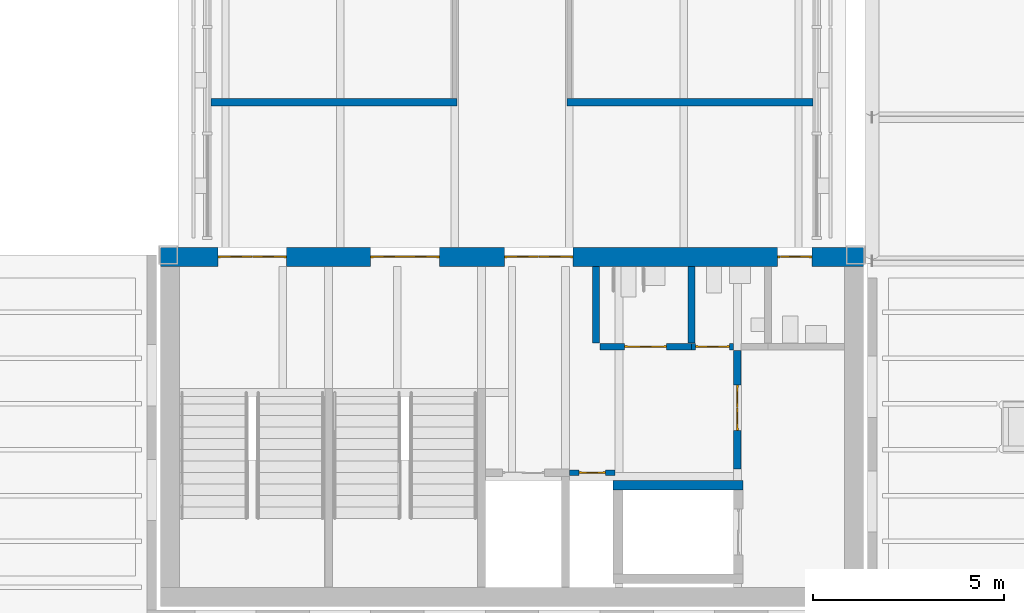
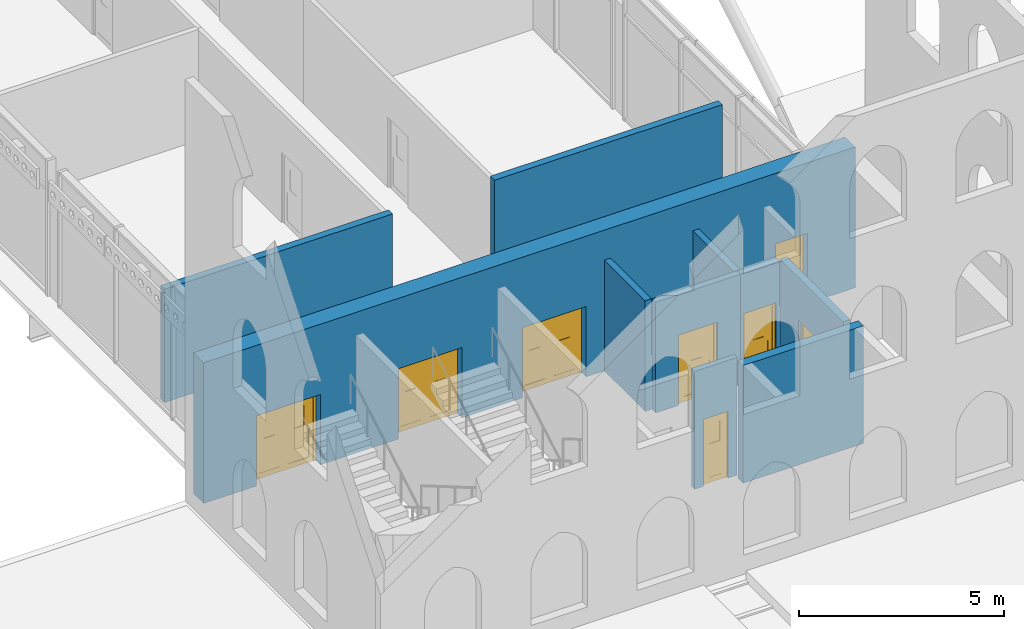
# One storey, part 104 of 153: 10 walls, 8 doors, 8 openings.
"""IFC4 building model written with IfcOpenShell, lengths in metres."""

from ifc_helpers import new_model, si_unit, direction, frame, frame_2d, origin, place, context, subcontext, project, spatial, polyline, rectangle, outline, extrude, material, layer, layer_set, type_object, element, fill, save


model = new_model("IFC4")

# Units and contexts
model_context = context("Model", 3, precision=1e-05, world=origin(), true_north=direction((0.0, 1.0)))
body_context = subcontext(model_context, "Body", "Model", "MODEL_VIEW")
ifc_project = project(units=[si_unit("LENGTHUNIT", "METRE"), si_unit("AREAUNIT", "SQUARE_METRE"), si_unit("VOLUMEUNIT", "CUBIC_METRE"), si_unit("PLANEANGLEUNIT", "RADIAN"), si_unit("MASSUNIT", "GRAM", prefix="KILO")], contexts=[model_context])

# Site, building, storey
site_placement = place(None, origin())
site = spatial("IfcSite", under=ifc_project, at=site_placement, CompositionType="ELEMENT")
building_placement = place(site_placement, origin())
building = spatial("IfcBuilding", under=site, at=building_placement, Name="Baradari Gate Terminus", CompositionType="ELEMENT")
storey_placement = place(building_placement, frame((0.0, 0.0, 11.699951171875)))
storey = spatial("IfcBuildingStorey", under=building, at=storey_placement, Name="L02", CompositionType="ELEMENT", Elevation=11.699951171875)

# Wall, openings, doors
ifc_material_1 = material(Name="Concrete C40/50", Category="concrete")
ifc_layer_1 = layer(ifc_material_1, 0.5)
ifc_layer_set_1 = layer_set([ifc_layer_1], Name="Concrete C40/50")
wall_type_1 = type_object("IfcWallType", Name="Abutment core wall CWL05 500", PredefinedType="SOLIDWALL", material=ifc_layer_set_1)
wall_1_placement = place(storey_placement, frame((71.800048828125, 35.949951171875, 0.0), z_axis=(0.0, 0.0, 1.0), x_axis=(1.0, 0.0, 0.0)))
wall_1 = element("IfcWall", 1, at=wall_1_placement, inside=storey, type_object=wall_type_1, Name="Abutment core wall GS N L02", PredefinedType="SOLIDWALL", context=body_context, shape_type="SweptSolid", body=[
    extrude(rectangle(XDim=18.39990234375, YDim=0.5, at=frame_2d((9.199951171875, 0.0))), origin(), (0.0, 0.0, 1.0), 4.199951171875),
])
opening_1_placement = place(wall_1_placement, frame((1.5, 0.0, 0.0)))
opening_1 = element("IfcOpeningElement", 2, at=opening_1_placement, cuts=wall_1, Name="Opening D02-035", PredefinedType="OPENING", context=body_context, shape_type="SweptSolid", body=[
    extrude(rectangle(XDim=1.800048828125, YDim=2.10009765625, at=frame_2d((0.89990234375, 1.050048828125))), frame((0.0, 0.260009765625, 0.0), z_axis=(0.0, -1.0, 0.0), x_axis=(1.0, 0.0, 0.0)), (0.0, 0.0, 1.0), 0.52001953125),
])
opening_2_placement = place(wall_1_placement, frame((5.5, 0.0, 0.0)))
opening_2 = element("IfcOpeningElement", 3, at=opening_2_placement, cuts=wall_1, Name="Opening D02-036", PredefinedType="OPENING", context=body_context, shape_type="SweptSolid", body=[
    extrude(rectangle(XDim=1.800048828125, YDim=2.10009765625, at=frame_2d((0.89990234375, 1.050048828125))), frame((0.0, 0.260009765625, 0.0), z_axis=(0.0, -1.0, 0.0), x_axis=(1.0, 0.0, 0.0)), (0.0, 0.0, 1.0), 0.52001953125),
])
opening_3_placement = place(wall_1_placement, frame((9.0, 0.0, 0.0)))
opening_3 = element("IfcOpeningElement", 4, at=opening_3_placement, cuts=wall_1, Name="Opening D02-037", PredefinedType="OPENING", context=body_context, shape_type="SweptSolid", body=[
    extrude(rectangle(XDim=1.800048828125, YDim=2.10009765625, at=frame_2d((0.89990234375, 1.050048828125))), frame((0.0, 0.260009765625, 0.0), z_axis=(0.0, -1.0, 0.0), x_axis=(1.0, 0.0, 0.0)), (0.0, 0.0, 1.0), 0.52001953125),
])
opening_4_placement = place(wall_1_placement, frame((16.14990234375, 0.0, 0.0)))
opening_4 = element("IfcOpeningElement", 5, at=opening_4_placement, cuts=wall_1, Name="Opening D02-042", PredefinedType="OPENING", context=body_context, shape_type="SweptSolid", body=[
    extrude(rectangle(XDim=0.89990234375, YDim=2.10009765625, at=frame_2d((0.449951171875, 1.050048828125))), frame((0.0, 0.260009765625, 0.0), z_axis=(0.0, -1.0, 0.0), x_axis=(1.0, 0.0, 0.0)), (0.0, 0.0, 1.0), 0.52001953125),
])
ifc_material_2 = material(Name="Steel S275", Category="steel")
door_type_1 = type_object("IfcDoorType", Name="Fire door FI-1800-FD90S 1800x2100 FD90S", OperationType="DOUBLE_DOOR_SINGLE_SWING", PredefinedType="DOOR", material=ifc_material_2)
door_1_placement = place(opening_1_placement, frame((1.800048828125, 0.0, 0.0), z_axis=(0.0, 0.0, 1.0), x_axis=(-1.0, 0.0, 0.0)))
door_1 = element("IfcDoor", 6, at=door_1_placement, inside=storey, type_object=door_type_1, Name="Door Stair (Gate South) 1", OperationType="DOUBLE_DOOR_SINGLE_SWING", OverallHeight=2.1, OverallWidth=1.8, PredefinedType="DOOR", context=body_context, shape_type="SweptSolid", body=[
    extrude(outline(polyline([(0.0, 0.0), (0.070068359375, 0.0), (0.070068359375, 2.030029296875), (1.72998046875, 2.030029296875), (1.72998046875, 0.0), (1.800048828125, 0.0), (1.800048828125, 2.10009765625), (0.0, 2.10009765625), (0.0, 0.0)])), frame((0.0, 0.02490234375, 0.0), z_axis=(0.0, -1.0, 0.0), x_axis=(1.0, 0.0, 0.0)), (0.0, 0.0, 1.0), 0.050048828125),
    extrude(outline(polyline([(0.073974609375, 0.010009765625), (0.89697265625, 0.010009765625), (0.89697265625, 2.026123046875), (0.073974609375, 2.026123046875), (0.073974609375, 0.010009765625)]), holes=[polyline([(0.194091796875, 0.159912109375), (0.77685546875, 0.159912109375), (0.77685546875, 1.010009765625), (0.194091796875, 1.010009765625), (0.194091796875, 0.159912109375)]), polyline([(0.33544921875, 1.159912109375), (0.635498046875, 1.159912109375), (0.635498046875, 1.760009765625), (0.33544921875, 1.760009765625), (0.33544921875, 1.159912109375)])]), frame((0.0, 0.017333984375, 0.0), z_axis=(0.0, -1.0, 0.0), x_axis=(1.0, 0.0, 0.0)), (0.0, 0.0, 1.0), 0.034912109375),
    extrude(rectangle(XDim=0.582763671875, YDim=0.85009765625, at=frame_2d((0.4853515625, 0.5849609375))), frame((0.0, 0.008544921875, 0.0), z_axis=(0.0, -1.0, 0.0), x_axis=(1.0, 0.0, 0.0)), (0.0, 0.0, 1.0), 0.017333984375),
    extrude(rectangle(XDim=0.300048828125, YDim=0.60009765625, at=frame_2d((0.4853515625, 1.4599609375))), frame((0.0, 0.005859375, 0.0), z_axis=(0.0, -1.0, 0.0), x_axis=(1.0, 0.0, 0.0)), (0.0, 0.0, 1.0), 0.011962890625),
    extrude(outline(polyline([(0.903076171875, 0.010009765625), (1.72607421875, 0.010009765625), (1.72607421875, 2.026123046875), (0.903076171875, 2.026123046875), (0.903076171875, 0.010009765625)]), holes=[polyline([(1.023193359375, 0.159912109375), (1.60595703125, 0.159912109375), (1.60595703125, 1.010009765625), (1.023193359375, 1.010009765625), (1.023193359375, 0.159912109375)]), polyline([(1.16455078125, 1.159912109375), (1.464599609375, 1.159912109375), (1.464599609375, 1.760009765625), (1.16455078125, 1.760009765625), (1.16455078125, 1.159912109375)])]), frame((0.0, 0.017333984375, 0.0), z_axis=(0.0, -1.0, 0.0), x_axis=(1.0, 0.0, 0.0)), (0.0, 0.0, 1.0), 0.034912109375),
    extrude(rectangle(XDim=0.582763671875, YDim=0.85009765625, at=frame_2d((1.314453125, 0.5849609375))), frame((0.0, 0.008544921875, 0.0), z_axis=(0.0, -1.0, 0.0), x_axis=(1.0, 0.0, 0.0)), (0.0, 0.0, 1.0), 0.017333984375),
    extrude(rectangle(XDim=0.300048828125, YDim=0.60009765625, at=frame_2d((1.314453125, 1.4599609375))), frame((0.0, 0.005859375, 0.0), z_axis=(0.0, -1.0, 0.0), x_axis=(1.0, 0.0, 0.0)), (0.0, 0.0, 1.0), 0.011962890625),
])
fill(opening_1, door_1)
door_2_placement = place(opening_2_placement, frame((1.800048828125, 0.0, 0.0), z_axis=(0.0, 0.0, 1.0), x_axis=(-1.0, 0.0, 0.0)))
door_2 = element("IfcDoor", 7, at=door_2_placement, inside=storey, type_object=door_type_1, Name="Door Stair (Gate South) 2", OperationType="DOUBLE_DOOR_SINGLE_SWING", OverallHeight=2.1, OverallWidth=1.8, PredefinedType="DOOR", context=body_context, shape_type="SweptSolid", body=[
    extrude(outline(polyline([(0.0, 0.0), (0.070068359375, 0.0), (0.070068359375, 2.030029296875), (1.72998046875, 2.030029296875), (1.72998046875, 0.0), (1.800048828125, 0.0), (1.800048828125, 2.10009765625), (0.0, 2.10009765625), (0.0, 0.0)])), frame((0.0, 0.02490234375, 0.0), z_axis=(0.0, -1.0, 0.0), x_axis=(1.0, 0.0, 0.0)), (0.0, 0.0, 1.0), 0.050048828125),
    extrude(outline(polyline([(0.073974609375, 0.010009765625), (0.89697265625, 0.010009765625), (0.89697265625, 2.026123046875), (0.073974609375, 2.026123046875), (0.073974609375, 0.010009765625)]), holes=[polyline([(0.194091796875, 0.159912109375), (0.77685546875, 0.159912109375), (0.77685546875, 1.010009765625), (0.194091796875, 1.010009765625), (0.194091796875, 0.159912109375)]), polyline([(0.33544921875, 1.159912109375), (0.635498046875, 1.159912109375), (0.635498046875, 1.760009765625), (0.33544921875, 1.760009765625), (0.33544921875, 1.159912109375)])]), frame((0.0, 0.017333984375, 0.0), z_axis=(0.0, -1.0, 0.0), x_axis=(1.0, 0.0, 0.0)), (0.0, 0.0, 1.0), 0.034912109375),
    extrude(rectangle(XDim=0.582763671875, YDim=0.85009765625, at=frame_2d((0.4853515625, 0.5849609375))), frame((0.0, 0.008544921875, 0.0), z_axis=(0.0, -1.0, 0.0), x_axis=(1.0, 0.0, 0.0)), (0.0, 0.0, 1.0), 0.017333984375),
    extrude(rectangle(XDim=0.300048828125, YDim=0.60009765625, at=frame_2d((0.4853515625, 1.4599609375))), frame((0.0, 0.005859375, 0.0), z_axis=(0.0, -1.0, 0.0), x_axis=(1.0, 0.0, 0.0)), (0.0, 0.0, 1.0), 0.011962890625),
    extrude(outline(polyline([(0.903076171875, 0.010009765625), (1.72607421875, 0.010009765625), (1.72607421875, 2.026123046875), (0.903076171875, 2.026123046875), (0.903076171875, 0.010009765625)]), holes=[polyline([(1.023193359375, 0.159912109375), (1.60595703125, 0.159912109375), (1.60595703125, 1.010009765625), (1.023193359375, 1.010009765625), (1.023193359375, 0.159912109375)]), polyline([(1.16455078125, 1.159912109375), (1.464599609375, 1.159912109375), (1.464599609375, 1.760009765625), (1.16455078125, 1.760009765625), (1.16455078125, 1.159912109375)])]), frame((0.0, 0.017333984375, 0.0), z_axis=(0.0, -1.0, 0.0), x_axis=(1.0, 0.0, 0.0)), (0.0, 0.0, 1.0), 0.034912109375),
    extrude(rectangle(XDim=0.582763671875, YDim=0.85009765625, at=frame_2d((1.314453125, 0.5849609375))), frame((0.0, 0.008544921875, 0.0), z_axis=(0.0, -1.0, 0.0), x_axis=(1.0, 0.0, 0.0)), (0.0, 0.0, 1.0), 0.017333984375),
    extrude(rectangle(XDim=0.300048828125, YDim=0.60009765625, at=frame_2d((1.314453125, 1.4599609375))), frame((0.0, 0.005859375, 0.0), z_axis=(0.0, -1.0, 0.0), x_axis=(1.0, 0.0, 0.0)), (0.0, 0.0, 1.0), 0.011962890625),
])
fill(opening_2, door_2)
door_3_placement = place(opening_3_placement, frame((1.800048828125, 0.0, 0.0), z_axis=(0.0, 0.0, 1.0), x_axis=(-1.0, 0.0, 0.0)))
door_3 = element("IfcDoor", 8, at=door_3_placement, inside=storey, type_object=door_type_1, Name="Door Lift Lobby", OperationType="DOUBLE_DOOR_SINGLE_SWING", OverallHeight=2.1, OverallWidth=1.8, PredefinedType="DOOR", context=body_context, shape_type="SweptSolid", body=[
    extrude(outline(polyline([(0.0, 0.0), (0.070068359375, 0.0), (0.070068359375, 2.030029296875), (1.72998046875, 2.030029296875), (1.72998046875, 0.0), (1.800048828125, 0.0), (1.800048828125, 2.10009765625), (0.0, 2.10009765625), (0.0, 0.0)])), frame((0.0, 0.02490234375, 0.0), z_axis=(0.0, -1.0, 0.0), x_axis=(1.0, 0.0, 0.0)), (0.0, 0.0, 1.0), 0.050048828125),
    extrude(outline(polyline([(0.073974609375, 0.010009765625), (0.89697265625, 0.010009765625), (0.89697265625, 2.026123046875), (0.073974609375, 2.026123046875), (0.073974609375, 0.010009765625)]), holes=[polyline([(0.194091796875, 0.159912109375), (0.77685546875, 0.159912109375), (0.77685546875, 1.010009765625), (0.194091796875, 1.010009765625), (0.194091796875, 0.159912109375)]), polyline([(0.33544921875, 1.159912109375), (0.635498046875, 1.159912109375), (0.635498046875, 1.760009765625), (0.33544921875, 1.760009765625), (0.33544921875, 1.159912109375)])]), frame((0.0, 0.017333984375, 0.0), z_axis=(0.0, -1.0, 0.0), x_axis=(1.0, 0.0, 0.0)), (0.0, 0.0, 1.0), 0.034912109375),
    extrude(rectangle(XDim=0.582763671875, YDim=0.85009765625, at=frame_2d((0.4853515625, 0.5849609375))), frame((0.0, 0.008544921875, 0.0), z_axis=(0.0, -1.0, 0.0), x_axis=(1.0, 0.0, 0.0)), (0.0, 0.0, 1.0), 0.017333984375),
    extrude(rectangle(XDim=0.300048828125, YDim=0.60009765625, at=frame_2d((0.4853515625, 1.4599609375))), frame((0.0, 0.005859375, 0.0), z_axis=(0.0, -1.0, 0.0), x_axis=(1.0, 0.0, 0.0)), (0.0, 0.0, 1.0), 0.011962890625),
    extrude(outline(polyline([(0.903076171875, 0.010009765625), (1.72607421875, 0.010009765625), (1.72607421875, 2.026123046875), (0.903076171875, 2.026123046875), (0.903076171875, 0.010009765625)]), holes=[polyline([(1.023193359375, 0.159912109375), (1.60595703125, 0.159912109375), (1.60595703125, 1.010009765625), (1.023193359375, 1.010009765625), (1.023193359375, 0.159912109375)]), polyline([(1.16455078125, 1.159912109375), (1.464599609375, 1.159912109375), (1.464599609375, 1.760009765625), (1.16455078125, 1.760009765625), (1.16455078125, 1.159912109375)])]), frame((0.0, 0.017333984375, 0.0), z_axis=(0.0, -1.0, 0.0), x_axis=(1.0, 0.0, 0.0)), (0.0, 0.0, 1.0), 0.034912109375),
    extrude(rectangle(XDim=0.582763671875, YDim=0.85009765625, at=frame_2d((1.314453125, 0.5849609375))), frame((0.0, 0.008544921875, 0.0), z_axis=(0.0, -1.0, 0.0), x_axis=(1.0, 0.0, 0.0)), (0.0, 0.0, 1.0), 0.017333984375),
    extrude(rectangle(XDim=0.300048828125, YDim=0.60009765625, at=frame_2d((1.314453125, 1.4599609375))), frame((0.0, 0.005859375, 0.0), z_axis=(0.0, -1.0, 0.0), x_axis=(1.0, 0.0, 0.0)), (0.0, 0.0, 1.0), 0.011962890625),
])
fill(opening_3, door_3)
ifc_material_3 = material(Name="Steel S275", Category="steel")
door_type_2 = type_object("IfcDoorType", Name="Fire door FI-900-FD90S 900x2100 FD90S", OperationType="SINGLE_SWING_LEFT", PredefinedType="DOOR", material=ifc_material_3)
door_4_placement = place(opening_4_placement, frame((0.89990234375, 0.0, 0.0), z_axis=(0.0, 0.0, 1.0), x_axis=(-1.0, 0.0, 0.0)))
door_4 = element("IfcDoor", 9, at=door_4_placement, inside=storey, type_object=door_type_2, Name="Door Female WC", OperationType="SINGLE_SWING_RIGHT", OverallHeight=2.1, OverallWidth=0.9, PredefinedType="DOOR", context=body_context, shape_type="SweptSolid", body=[
    extrude(outline(polyline([(0.0, 0.0), (0.070068359375, 0.0), (0.070068359375, 2.030029296875), (0.829833984375, 2.030029296875), (0.829833984375, 0.0), (0.89990234375, 0.0), (0.89990234375, 2.10009765625), (0.0, 2.10009765625), (0.0, 0.0)])), frame((0.0, 0.02490234375, 0.0), z_axis=(0.0, -1.0, 0.0), x_axis=(1.0, 0.0, 0.0)), (0.0, 0.0, 1.0), 0.050048828125),
    extrude(outline(polyline([(0.073974609375, 0.010009765625), (0.825927734375, 0.010009765625), (0.825927734375, 2.026123046875), (0.073974609375, 2.026123046875), (0.073974609375, 0.010009765625)]), holes=[polyline([(0.194091796875, 0.159912109375), (0.705810546875, 0.159912109375), (0.705810546875, 1.010009765625), (0.194091796875, 1.010009765625), (0.194091796875, 0.159912109375)]), polyline([(0.300048828125, 1.159912109375), (0.599853515625, 1.159912109375), (0.599853515625, 1.760009765625), (0.300048828125, 1.760009765625), (0.300048828125, 1.159912109375)])]), frame((0.0, 0.017333984375, 0.0), z_axis=(0.0, -1.0, 0.0), x_axis=(1.0, 0.0, 0.0)), (0.0, 0.0, 1.0), 0.034912109375),
    extrude(rectangle(XDim=0.51171875, YDim=0.85009765625, at=frame_2d((0.449951171875, 0.5849609375))), frame((0.0, 0.008544921875, 0.0), z_axis=(0.0, -1.0, 0.0), x_axis=(1.0, 0.0, 0.0)), (0.0, 0.0, 1.0), 0.017333984375),
    extrude(rectangle(XDim=0.2998046875, YDim=0.60009765625, at=frame_2d((0.449951171875, 1.4599609375))), frame((0.0, 0.005859375, 0.0), z_axis=(0.0, -1.0, 0.0), x_axis=(1.0, 0.0, 0.0)), (0.0, 0.0, 1.0), 0.011962890625),
])
fill(opening_4, door_4)

# Wall
ifc_material_4 = material(Name="Concrete C32/40", Category="concrete")
ifc_layer_2 = layer(ifc_material_4, 0.25)
ifc_layer_set_2 = layer_set([ifc_layer_2], Name="Concrete C32/40")
wall_type_2 = type_object("IfcWallType", Name="Firefighting lift shaft wall SH-2 250 EI 120", PredefinedType="SOLIDWALL", material=ifc_layer_set_2)
wall_2_placement = place(storey_placement, frame((83.64990234375, 29.97509765625, 0.0), z_axis=(0.0, 0.0, 1.0), x_axis=(1.0, 0.0, 0.0)))
element("IfcWall", 10, at=wall_2_placement, inside=storey, type_object=wall_type_2, Name="Lift shaft wall LGS2 L02 N", PredefinedType="SOLIDWALL", context=body_context, shape_type="SweptSolid", body=[
    extrude(rectangle(XDim=3.400146484375, YDim=0.25, at=frame_2d((1.7001953125, 0.0))), origin(), (0.0, 0.0, 1.0), 3.51611328125),
])

# Wall, opening, door
ifc_material_5 = material(Name="Blockwork wall, plastered, fire rated", Category="masonry")
ifc_layer_3 = layer(ifc_material_5, 0.199951171875)
ifc_layer_set_3 = layer_set([ifc_layer_3], Name="Blockwork wall, plastered, fire rated")
wall_type_3 = type_object("IfcWallType", Name="Lobby partition PT-4 200 EI 60", PredefinedType="PARTITIONING", material=ifc_layer_set_3)
wall_3_placement = place(storey_placement, frame((86.89990234375, 33.5, 0.0), z_axis=(0.0, 0.0, 1.0), x_axis=(0.0, -1.0, 0.0)))
wall_3 = element("IfcWall", 11, at=wall_3_placement, inside=storey, type_object=wall_type_3, Name="PT-4 partition Lift Lobby / Lift Lobby (Fire-fighting)", PredefinedType="PARTITIONING", context=body_context, shape_type="SweptSolid", body=[
    extrude(rectangle(XDim=3.10009765625, YDim=0.199951171875, at=frame_2d((1.550048828125, 0.0))), origin(), (0.0, 0.0, 1.0), 3.382080078125),
])
opening_5_placement = place(wall_3_placement, frame((0.89990234375, 0.0, 0.0)))
opening_5 = element("IfcOpeningElement", 12, at=opening_5_placement, cuts=wall_3, Name="Opening D02-038", PredefinedType="OPENING", context=body_context, shape_type="SweptSolid", body=[
    extrude(rectangle(XDim=1.199951171875, YDim=2.10009765625, at=frame_2d((0.60009765625, 1.050048828125))), frame((0.0, 0.10986328125, 0.0), z_axis=(0.0, -1.0, 0.0), x_axis=(1.0, 0.0, 0.0)), (0.0, 0.0, 1.0), 0.219970703125),
])
ifc_material_6 = material(Name="Steel S275", Category="steel")
door_type_3 = type_object("IfcDoorType", Name="Fire door FI-1200-FD60S 1200x2100 FD60S", OperationType="DOUBLE_DOOR_SINGLE_SWING", PredefinedType="DOOR", material=ifc_material_6)
door_5_placement = place(opening_5_placement, origin())
door_5 = element("IfcDoor", 13, at=door_5_placement, inside=storey, type_object=door_type_3, Name="Door Lift Lobby (Fire-fighting)", OperationType="DOUBLE_DOOR_SINGLE_SWING", OverallHeight=2.1, OverallWidth=1.2, PredefinedType="DOOR", context=body_context, shape_type="SweptSolid", body=[
    extrude(outline(polyline([(0.0, 0.0), (0.070068359375, 0.0), (0.070068359375, 2.030029296875), (1.1298828125, 2.030029296875), (1.1298828125, 0.0), (1.199951171875, 0.0), (1.199951171875, 2.10009765625), (0.0, 2.10009765625), (0.0, 0.0)])), frame((0.0, 0.02490234375, 0.0), z_axis=(0.0, -1.0, 0.0), x_axis=(1.0, 0.0, 0.0)), (0.0, 0.0, 1.0), 0.050048828125),
    extrude(outline(polyline([(0.073974609375, 0.010009765625), (0.596923828125, 0.010009765625), (0.596923828125, 2.026123046875), (0.073974609375, 2.026123046875), (0.073974609375, 0.010009765625)]), holes=[polyline([(0.178466796875, 0.372802734375), (0.492431640625, 0.372802734375), (0.492431640625, 1.7841796875), (0.178466796875, 1.7841796875), (0.178466796875, 0.372802734375)])]), frame((0.0, 0.017333984375, 0.0), z_axis=(0.0, -1.0, 0.0), x_axis=(1.0, 0.0, 0.0)), (0.0, 0.0, 1.0), 0.034912109375),
    extrude(rectangle(XDim=0.31396484375, YDim=1.411376953125, at=frame_2d((0.33544921875, 1.07861328125))), frame((0.0, 0.008544921875, 0.0), z_axis=(0.0, -1.0, 0.0), x_axis=(1.0, 0.0, 0.0)), (0.0, 0.0, 1.0), 0.017333984375),
    extrude(outline(polyline([(0.60302734375, 0.010009765625), (1.1259765625, 0.010009765625), (1.1259765625, 2.026123046875), (0.60302734375, 2.026123046875), (0.60302734375, 0.010009765625)]), holes=[polyline([(0.70751953125, 0.372802734375), (1.021484375, 0.372802734375), (1.021484375, 1.7841796875), (0.70751953125, 1.7841796875), (0.70751953125, 0.372802734375)])]), frame((0.0, 0.017333984375, 0.0), z_axis=(0.0, -1.0, 0.0), x_axis=(1.0, 0.0, 0.0)), (0.0, 0.0, 1.0), 0.034912109375),
    extrude(rectangle(XDim=0.31396484375, YDim=1.411376953125, at=frame_2d((0.864501953125, 1.07861328125))), frame((0.0, 0.008544921875, 0.0), z_axis=(0.0, -1.0, 0.0), x_axis=(1.0, 0.0, 0.0)), (0.0, 0.0, 1.0), 0.017333984375),
])
fill(opening_5, door_5)

# Walls
for number, where, z_axis, x_axis, name in (
    (14, (73.125, 40.0, 0.0), (0.0, 0.0, 1.0), (1.0, 0.0, 0.0), "PT-4 partition Lobby (Gate South) / Gate Office 2.01"),
    (15, (82.4375, 40.0, 0.0), (0.0, 0.0, 1.0), (1.0, 0.0, 0.0), "PT-4 partition Lobby (Gate South) / Gate Office 2.05"),
):
    element("IfcWall", number, at=place(storey_placement, frame(where, z_axis=z_axis, x_axis=x_axis)), inside=storey, type_object=wall_type_3, Name=name, PredefinedType="PARTITIONING", context=body_context, shape_type="SweptSolid", body=[
        extrude(rectangle(XDim=6.4375, YDim=0.199951171875, at=frame_2d((3.21875, 0.0))), origin(), (0.0, 0.0, 1.0), 3.382080078125),
    ])

# Wall, opening, door
ifc_material_7 = material(Name="Blockwork wall, fire rated", Category="masonry")
ifc_layer_4 = layer(ifc_material_7, 0.14990234375)
ifc_layer_set_4 = layer_set([ifc_layer_4], Name="Blockwork wall, fire rated")
wall_type_4 = type_object("IfcWallType", Name="Riser wall RW-1 150 EI 120", PredefinedType="SOLIDWALL", material=ifc_layer_set_4)
wall_4_placement = place(storey_placement, frame((83.699951171875, 30.300048828125, 0.0), z_axis=(0.0, 0.0, 1.0), x_axis=(-1.0, 0.0, 0.0)))
wall_4 = element("IfcWall", 16, at=wall_4_placement, inside=storey, type_object=wall_type_4, Name="RW-1 partition Lift Lobby / Riser", PredefinedType="SOLIDWALL", context=body_context, shape_type="SweptSolid", body=[
    extrude(rectangle(XDim=1.197998046875, YDim=0.14990234375, at=frame_2d((0.59912109375, 0.0))), origin(), (0.0, 0.0, 1.0), 3.51611328125),
])
opening_6_placement = place(wall_4_placement, frame((0.25, 0.0, 0.0)))
opening_6 = element("IfcOpeningElement", 17, at=opening_6_placement, cuts=wall_4, Name="Opening D02-039", PredefinedType="OPENING", context=body_context, shape_type="SweptSolid", body=[
    extrude(rectangle(XDim=0.699951171875, YDim=2.0, at=frame_2d((0.35009765625, 1.0))), frame((0.0, 0.0849609375, 0.0), z_axis=(0.0, -1.0, 0.0), x_axis=(1.0, 0.0, 0.0)), (0.0, 0.0, 1.0), 0.169921875),
])
ifc_material_8 = material(Name="Steel S275", Category="steel")
door_type_4 = type_object("IfcDoorType", Name="Fire door FI-700x2000-FD90S 700x2000 FD90S", OperationType="SINGLE_SWING_LEFT", PredefinedType="DOOR", material=ifc_material_8)
door_6_placement = place(opening_6_placement, origin())
door_6 = element("IfcDoor", 18, at=door_6_placement, inside=storey, type_object=door_type_4, Name="Door Riser", OperationType="SINGLE_SWING_RIGHT", OverallHeight=2.0, OverallWidth=0.7, PredefinedType="DOOR", context=body_context, shape_type="SweptSolid", body=[
    extrude(outline(polyline([(0.0, 0.0), (0.070068359375, 0.0), (0.070068359375, 1.929931640625), (0.6298828125, 1.929931640625), (0.6298828125, 0.0), (0.699951171875, 0.0), (0.699951171875, 2.0), (0.0, 2.0), (0.0, 0.0)])), frame((0.0, 0.02490234375, 0.0), z_axis=(0.0, -1.0, 0.0), x_axis=(1.0, 0.0, 0.0)), (0.0, 0.0, 1.0), 0.050048828125),
    extrude(outline(polyline([(0.073974609375, 0.010009765625), (0.6259765625, 0.010009765625), (0.6259765625, 1.926025390625), (0.073974609375, 1.926025390625), (0.073974609375, 0.010009765625)]), holes=[polyline([(0.184326171875, 0.159912109375), (0.515625, 0.159912109375), (0.515625, 1.010009765625), (0.184326171875, 1.010009765625), (0.184326171875, 0.159912109375)]), polyline([(0.199951171875, 1.159912109375), (0.5, 1.159912109375), (0.5, 1.760009765625), (0.199951171875, 1.760009765625), (0.199951171875, 1.159912109375)])]), frame((0.0, 0.017333984375, 0.0), z_axis=(0.0, -1.0, 0.0), x_axis=(1.0, 0.0, 0.0)), (0.0, 0.0, 1.0), 0.034912109375),
    extrude(rectangle(XDim=0.331298828125, YDim=0.85009765625, at=frame_2d((0.35009765625, 0.5849609375))), frame((0.0, 0.008544921875, 0.0), z_axis=(0.0, -1.0, 0.0), x_axis=(1.0, 0.0, 0.0)), (0.0, 0.0, 1.0), 0.017333984375),
    extrude(rectangle(XDim=0.300048828125, YDim=0.60009765625, at=frame_2d((0.35009765625, 1.4599609375))), frame((0.0, 0.005859375, 0.0), z_axis=(0.0, -1.0, 0.0), x_axis=(1.0, 0.0, 0.0)), (0.0, 0.0, 1.0), 0.011962890625),
])
fill(opening_6, door_6)

# Wall
ifc_material_9 = material(Name="Blockwork wall, tiled both faces", Category="masonry")
ifc_layer_5 = layer(ifc_material_9, 0.175048828125)
ifc_layer_set_5 = layer_set([ifc_layer_5], Name="Blockwork wall, tiled both faces")
wall_type_5 = type_object("IfcWallType", Name="WC wet wall PT-6 175 EI 60", PredefinedType="PARTITIONING", material=ifc_layer_set_5)
wall_5_placement = place(storey_placement, frame((83.199951171875, 35.697998046875, 0.0), z_axis=(0.0, 0.0, 1.0), x_axis=(0.0, -1.0, 0.0)))
element("IfcWall", 19, at=wall_5_placement, inside=storey, type_object=wall_type_5, Name="PT-6 partition Lift Lobby / Accessible WC", PredefinedType="PARTITIONING", context=body_context, shape_type="SweptSolid", body=[
    extrude(rectangle(XDim=1.998046875, YDim=0.175048828125, at=frame_2d((0.9990234375, 0.0))), origin(), (0.0, 0.0, 1.0), 3.30712890625),
])

# Wall, opening, door
wall_6_placement = place(storey_placement, frame((83.300048828125, 33.60009765625, 0.0), z_axis=(0.0, 0.0, 1.0), x_axis=(1.0, 0.0, 0.0)))
wall_6 = element("IfcWall", 20, at=wall_6_placement, inside=storey, type_object=wall_type_5, Name="PT-6 partition Lift Lobby / Accessible WC", PredefinedType="PARTITIONING", context=body_context, shape_type="SweptSolid", body=[
    extrude(rectangle(XDim=2.39990234375, YDim=0.175048828125, at=frame_2d((1.199951171875, 0.0))), origin(), (0.0, 0.0, 1.0), 3.30712890625),
])
opening_7_placement = place(wall_6_placement, frame((0.64990234375, 0.0, 0.0)))
opening_7 = element("IfcOpeningElement", 21, at=opening_7_placement, cuts=wall_6, Name="Opening D02-040", PredefinedType="OPENING", context=body_context, shape_type="SweptSolid", body=[
    extrude(rectangle(XDim=1.10009765625, YDim=2.10009765625, at=frame_2d((0.550048828125, 1.050048828125))), frame((0.0, 0.097412109375, 0.0), z_axis=(0.0, -1.0, 0.0), x_axis=(1.0, 0.0, 0.0)), (0.0, 0.0, 1.0), 0.195068359375),
])
ifc_material_10 = material(Name="Steel S275", Category="steel")
door_type_5 = type_object("IfcDoorType", Name="Fire door FI-1100-FD60S 1100x2100 FD60S", OperationType="SINGLE_SWING_LEFT", PredefinedType="DOOR", material=ifc_material_10)
door_7_placement = place(opening_7_placement, origin())
door_7 = element("IfcDoor", 22, at=door_7_placement, inside=storey, type_object=door_type_5, Name="Door Accessible WC", OperationType="SINGLE_SWING_LEFT", OverallHeight=2.1, OverallWidth=1.1, PredefinedType="DOOR", context=body_context, shape_type="SweptSolid", body=[
    extrude(outline(polyline([(0.0, 0.0), (0.070068359375, 0.0), (0.070068359375, 2.030029296875), (1.030029296875, 2.030029296875), (1.030029296875, 0.0), (1.10009765625, 0.0), (1.10009765625, 2.10009765625), (0.0, 2.10009765625), (0.0, 0.0)])), frame((0.0, 0.02490234375, 0.0), z_axis=(0.0, -1.0, 0.0), x_axis=(1.0, 0.0, 0.0)), (0.0, 0.0, 1.0), 0.050048828125),
    extrude(outline(polyline([(0.073974609375, 0.010009765625), (1.026123046875, 0.010009765625), (1.026123046875, 2.026123046875), (0.073974609375, 2.026123046875), (0.073974609375, 0.010009765625)]), holes=[polyline([(0.194091796875, 0.159912109375), (0.906005859375, 0.159912109375), (0.906005859375, 1.010009765625), (0.194091796875, 1.010009765625), (0.194091796875, 0.159912109375)]), polyline([(0.400146484375, 1.159912109375), (0.699951171875, 1.159912109375), (0.699951171875, 1.760009765625), (0.400146484375, 1.760009765625), (0.400146484375, 1.159912109375)])]), frame((0.0, 0.017333984375, 0.0), z_axis=(0.0, -1.0, 0.0), x_axis=(1.0, 0.0, 0.0)), (0.0, 0.0, 1.0), 0.034912109375),
    extrude(rectangle(XDim=0.7119140625, YDim=0.85009765625, at=frame_2d((0.550048828125, 0.5849609375))), frame((0.0, 0.008544921875, 0.0), z_axis=(0.0, -1.0, 0.0), x_axis=(1.0, 0.0, 0.0)), (0.0, 0.0, 1.0), 0.017333984375),
    extrude(rectangle(XDim=0.2998046875, YDim=0.60009765625, at=frame_2d((0.550048828125, 1.4599609375))), frame((0.0, 0.005859375, 0.0), z_axis=(0.0, -1.0, 0.0), x_axis=(1.0, 0.0, 0.0)), (0.0, 0.0, 1.0), 0.011962890625),
])
fill(opening_7, door_7)

wall_7_placement = place(storey_placement, frame((85.699951171875, 33.60009765625, 0.0), z_axis=(0.0, 0.0, 1.0), x_axis=(1.0, 0.0, 0.0)))
wall_7 = element("IfcWall", 23, at=wall_7_placement, inside=storey, type_object=wall_type_5, Name="PT-6 partition Lift Lobby / Male WC", PredefinedType="PARTITIONING", context=body_context, shape_type="SweptSolid", body=[
    extrude(rectangle(XDim=1.10009765625, YDim=0.175048828125, at=frame_2d((0.550048828125, 0.0))), origin(), (0.0, 0.0, 1.0), 3.30712890625),
])
opening_8_placement = place(wall_7_placement, frame((0.10009765625, 0.0, 0.0)))
opening_8 = element("IfcOpeningElement", 24, at=opening_8_placement, cuts=wall_7, Name="Opening D02-041", PredefinedType="OPENING", context=body_context, shape_type="SweptSolid", body=[
    extrude(rectangle(XDim=0.89990234375, YDim=2.10009765625, at=frame_2d((0.449951171875, 1.050048828125))), frame((0.0, 0.097412109375, 0.0), z_axis=(0.0, -1.0, 0.0), x_axis=(1.0, 0.0, 0.0)), (0.0, 0.0, 1.0), 0.195068359375),
])
ifc_material_11 = material(Name="Steel S275", Category="steel")
door_type_6 = type_object("IfcDoorType", Name="Fire door FI-900-FD60S 900x2100 FD60S", OperationType="SINGLE_SWING_LEFT", PredefinedType="DOOR", material=ifc_material_11)
door_8_placement = place(opening_8_placement, origin())
door_8 = element("IfcDoor", 25, at=door_8_placement, inside=storey, type_object=door_type_6, Name="Door Male WC", OperationType="SINGLE_SWING_LEFT", OverallHeight=2.1, OverallWidth=0.9, PredefinedType="DOOR", context=body_context, shape_type="SweptSolid", body=[
    extrude(outline(polyline([(0.0, 0.0), (0.070068359375, 0.0), (0.070068359375, 2.030029296875), (0.829833984375, 2.030029296875), (0.829833984375, 0.0), (0.89990234375, 0.0), (0.89990234375, 2.10009765625), (0.0, 2.10009765625), (0.0, 0.0)])), frame((0.0, 0.02490234375, 0.0), z_axis=(0.0, -1.0, 0.0), x_axis=(1.0, 0.0, 0.0)), (0.0, 0.0, 1.0), 0.050048828125),
    extrude(outline(polyline([(0.073974609375, 0.010009765625), (0.825927734375, 0.010009765625), (0.825927734375, 2.026123046875), (0.073974609375, 2.026123046875), (0.073974609375, 0.010009765625)]), holes=[polyline([(0.194091796875, 0.159912109375), (0.705810546875, 0.159912109375), (0.705810546875, 1.010009765625), (0.194091796875, 1.010009765625), (0.194091796875, 0.159912109375)]), polyline([(0.300048828125, 1.159912109375), (0.599853515625, 1.159912109375), (0.599853515625, 1.760009765625), (0.300048828125, 1.760009765625), (0.300048828125, 1.159912109375)])]), frame((0.0, 0.017333984375, 0.0), z_axis=(0.0, -1.0, 0.0), x_axis=(1.0, 0.0, 0.0)), (0.0, 0.0, 1.0), 0.034912109375),
    extrude(rectangle(XDim=0.51171875, YDim=0.85009765625, at=frame_2d((0.449951171875, 0.5849609375))), frame((0.0, 0.008544921875, 0.0), z_axis=(0.0, -1.0, 0.0), x_axis=(1.0, 0.0, 0.0)), (0.0, 0.0, 1.0), 0.017333984375),
    extrude(rectangle(XDim=0.2998046875, YDim=0.60009765625, at=frame_2d((0.449951171875, 1.4599609375))), frame((0.0, 0.005859375, 0.0), z_axis=(0.0, -1.0, 0.0), x_axis=(1.0, 0.0, 0.0)), (0.0, 0.0, 1.0), 0.011962890625),
])
fill(opening_8, door_8)

# Wall
wall_8_placement = place(storey_placement, frame((85.699951171875, 35.697998046875, 0.0), z_axis=(0.0, 0.0, 1.0), x_axis=(0.0, -1.0, 0.0)))
element("IfcWall", 26, at=wall_8_placement, inside=storey, type_object=wall_type_5, Name="PT-6 partition Accessible WC / Male WC", PredefinedType="PARTITIONING", context=body_context, shape_type="SweptSolid", body=[
    extrude(rectangle(XDim=1.998046875, YDim=0.175048828125, at=frame_2d((0.9990234375, 0.0))), origin(), (0.0, 0.0, 1.0), 3.30712890625),
])

save(model, "model.ifc")
